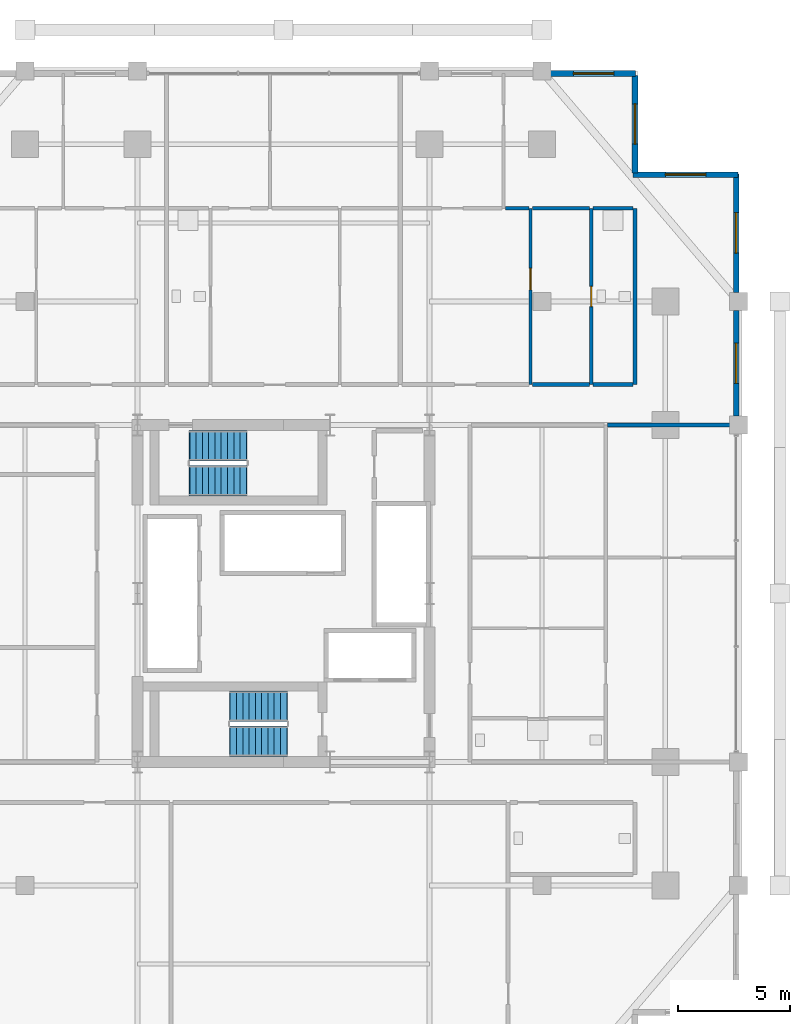
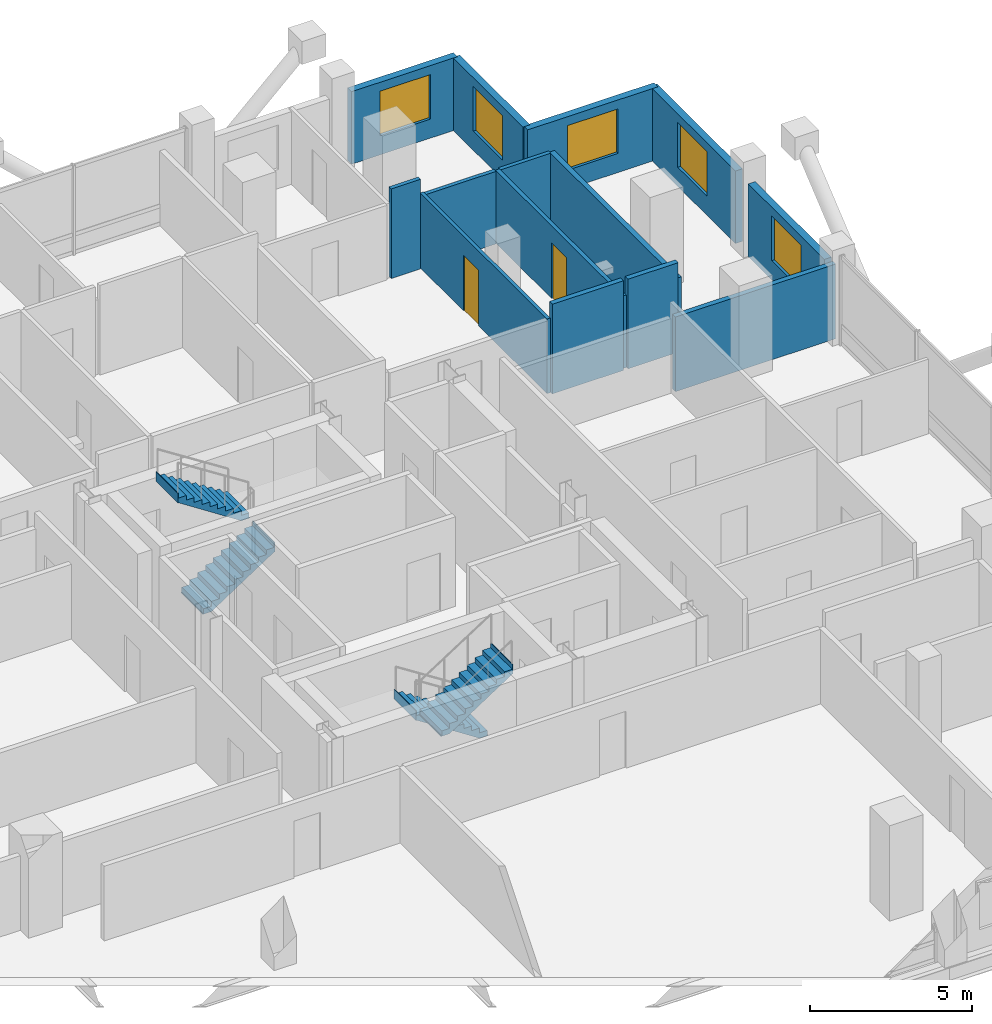
# One storey, part 20 of 22: 14 walls, 5 windows, 4 stair flights, 2 doors, 7 openings, 2 elements without a shape of their own.
"""IFC4 building model written with IfcOpenShell, lengths in metres."""

from ifc_helpers import new_model, si_unit, direction, frame, frame_2d, origin, place, context, subcontext, project, spatial, polyline, rectangle, outline, extrude, material, layer, layer_set, type_object, element, fill, aggregate, save


model = new_model("IFC4")

# Units and contexts
model_context = context("Model", 3, precision=1e-05, world=origin(), true_north=direction((0.0, 1.0)))
body_context = subcontext(model_context, "Body", "Model", "MODEL_VIEW")
ifc_project = project(units=[si_unit("LENGTHUNIT", "METRE"), si_unit("AREAUNIT", "SQUARE_METRE"), si_unit("VOLUMEUNIT", "CUBIC_METRE"), si_unit("PLANEANGLEUNIT", "RADIAN"), si_unit("MASSUNIT", "GRAM", prefix="KILO")], contexts=[model_context])

# Site, building, storey
site_placement = place(None, origin())
site = spatial("IfcSite", under=ifc_project, at=site_placement, CompositionType="ELEMENT")
building_placement = place(site_placement, origin())
building = spatial("IfcBuilding", under=site, at=building_placement, Name="Barlavira Tower and Art Museum", CompositionType="ELEMENT")
storey_placement = place(building_placement, frame((0.0, 0.0, 106.199951171875)))
storey = spatial("IfcBuildingStorey", under=building, at=storey_placement, Name="L26", CompositionType="ELEMENT", Elevation=106.199951171875)

# Wall, opening, door
ifc_material_1 = material(Name="Gypsum acoustic stud partition", Category="gypsum")
ifc_layer_1 = layer(ifc_material_1, 0.1201171875, Name="Gypsum acoustic stud partition")
ifc_layer_set_1 = layer_set([ifc_layer_1], Name="Gypsum acoustic stud partition")
wall_type_1 = type_object("IfcWallType", Name="Apartment Internal Acoustic Partition 120", PredefinedType="PARTITIONING", material=ifc_layer_set_1)
wall_1_placement = place(storey_placement, frame((11.0, 9.300048828125, 0.0), z_axis=(0.0, 0.0, 1.0), x_axis=(0.0, 1.0, 0.0)))
wall_1 = element("IfcWall", 1, at=wall_1_placement, inside=storey, type_object=wall_type_1, Name="L26 Partition Wall 16", PredefinedType="PARTITIONING", context=body_context, shape_type="SweptSolid", body=[
    extrude(rectangle(XDim=7.849853515625, YDim=0.1201171875, at=frame_2d((3.9248046875, 0.0))), origin(), (0.0, 0.0, 1.0), 2.816162109375),
])
opening_1_placement = place(wall_1_placement, frame((4.218505859375, 0.0, 0.0)))
opening_1 = element("IfcOpeningElement", 2, at=opening_1_placement, cuts=wall_1, Name="Opening D-02", PredefinedType="OPENING", context=body_context, shape_type="SweptSolid", body=[
    extrude(rectangle(XDim=0.949951171875, YDim=2.10009765625, at=frame_2d((0.47509765625, 1.050048828125))), frame((0.0, 0.070068359375, 0.0), z_axis=(0.0, -1.0, 0.0), x_axis=(1.0, 0.0, 0.0)), (0.0, 0.0, 1.0), 0.14013671875),
])
ifc_material_2 = material(Name="Engineered coastal hardwood", Category="wood")
door_type_1 = type_object("IfcDoorType", Name="Living and Salon Glazed-Leaf Door 950x2100", OperationType="NOTDEFINED", PredefinedType="DOOR", material=ifc_material_2)
door_1_placement = place(opening_1_placement, origin())
door_1 = element("IfcDoor", 3, at=door_1_placement, inside=storey, type_object=door_type_1, Name="Apartment N3 Kitchen Door", OperationType="SINGLE_SWING_LEFT", OverallHeight=2.10009765625, OverallWidth=0.949951171875, PredefinedType="DOOR", context=body_context, shape_type="SweptSolid", body=[
    extrude(rectangle(XDim=0.949951171875, YDim=2.10009765625, at=frame_2d((0.47509765625, 1.050048828125))), frame((0.0, 0.02490234375, 0.0), z_axis=(0.0, -1.0, 0.0), x_axis=(1.0, 0.0, 0.0)), (0.0, 0.0, 1.0), 0.050048828125),
])
fill(opening_1, door_1)

# Walls
ifc_layer_2 = layer(ifc_material_1, 0.179931640625, Name="Gypsum acoustic stud partition")
ifc_layer_set_2 = layer_set([ifc_layer_2], Name="Gypsum acoustic stud partition")
wall_type_2 = type_object("IfcWallType", Name="Inter-Tenancy Party Partition Wall 180", PredefinedType="PARTITIONING", material=ifc_layer_set_2)
wall_2_placement = place(storey_placement, frame((15.64990234375, 9.300048828125, 0.0), z_axis=(0.0, 0.0, 1.0), x_axis=(0.0, 1.0, 0.0)))
element("IfcWall", 4, at=wall_2_placement, inside=storey, type_object=wall_type_2, Name="L26 Partition Wall 20", PredefinedType="PARTITIONING", context=body_context, shape_type="SweptSolid", body=[
    extrude(rectangle(XDim=7.849853515625, YDim=0.179931640625, at=frame_2d((3.9248046875, 0.0))), origin(), (0.0, 0.0, 1.0), 2.736083984375),
])
wall_3_placement = place(storey_placement, frame((14.429931640625, 7.5, 0.0), z_axis=(0.0, 0.0, 1.0), x_axis=(1.0, 0.0, 0.0)))
element("IfcWall", 5, at=wall_3_placement, inside=storey, type_object=wall_type_2, Name="L26 Partition Wall 37", PredefinedType="PARTITIONING", context=body_context, shape_type="SweptSolid", body=[
    extrude(rectangle(XDim=5.719970703125, YDim=0.179931640625, at=frame_2d((2.85986328125, 0.0))), origin(), (0.0, 0.0, 1.0), 2.816162109375),
])
wall_4_placement = place(storey_placement, frame((11.080078125, 9.300048828125, 0.0), z_axis=(0.0, 0.0, 1.0), x_axis=(1.0, 0.0, 0.0)))
element("IfcWall", 6, at=wall_4_placement, inside=storey, type_object=wall_type_2, Name="L26 Partition Wall 45", PredefinedType="PARTITIONING", context=body_context, shape_type="SweptSolid", body=[
    extrude(rectangle(XDim=2.5400390625, YDim=0.179931640625, at=frame_2d((1.27001953125, 0.0))), origin(), (0.0, 0.0, 1.0), 3.380126953125),
])
wall_5_placement = place(storey_placement, frame((13.780029296875, 9.300048828125, 0.0), z_axis=(0.0, 0.0, 1.0), x_axis=(1.0, 0.0, 0.0)))
element("IfcWall", 7, at=wall_5_placement, inside=storey, type_object=wall_type_2, Name="L26 Partition Wall 46", PredefinedType="PARTITIONING", context=body_context, shape_type="SweptSolid", body=[
    extrude(rectangle(XDim=1.7900390625, YDim=0.179931640625, at=frame_2d((0.89501953125, 0.0))), origin(), (0.0, 0.0, 1.0), 3.380126953125),
])

# Wall, opening, door
ifc_layer_3 = layer(ifc_material_1, 0.139892578125, Name="Gypsum acoustic stud partition")
ifc_layer_set_3 = layer_set([ifc_layer_3], Name="Gypsum acoustic stud partition")
wall_type_3 = type_object("IfcWallType", Name="Moisture-Resistant Bathroom Partition 140", PredefinedType="PARTITIONING", material=ifc_layer_set_3)
wall_6_placement = place(storey_placement, frame((13.699951171875, 9.300048828125, 0.0), z_axis=(0.0, 0.0, 1.0), x_axis=(0.0, 1.0, 0.0)))
wall_6 = element("IfcWall", 8, at=wall_6_placement, inside=storey, type_object=wall_type_3, Name="L26 Partition Wall 17", PredefinedType="PARTITIONING", context=body_context, shape_type="SweptSolid", body=[
    extrude(rectangle(XDim=7.849853515625, YDim=0.139892578125, at=frame_2d((3.9248046875, 0.0))), origin(), (0.0, 0.0, 1.0), 2.736083984375),
])
opening_2_placement = place(wall_6_placement, frame((3.469970703125, 0.0, 0.0)))
opening_2 = element("IfcOpeningElement", 9, at=opening_2_placement, cuts=wall_6, Name="Opening D-WC", PredefinedType="OPENING", context=body_context, shape_type="SweptSolid", body=[
    extrude(rectangle(XDim=0.89990234375, YDim=2.10009765625, at=frame_2d((0.449951171875, 1.050048828125))), frame((0.0, 0.080078125, 0.0), z_axis=(0.0, -1.0, 0.0), x_axis=(1.0, 0.0, 0.0)), (0.0, 0.0, 1.0), 0.159912109375),
])
door_type_2 = type_object("IfcDoorType", Name="Accessible Bathroom Flush Door 900x2100", OperationType="NOTDEFINED", PredefinedType="DOOR", material=ifc_material_2)
door_2_placement = place(opening_2_placement, origin())
door_2 = element("IfcDoor", 10, at=door_2_placement, inside=storey, type_object=door_type_2, Name="Apartment N3 Hall Bathroom Door", OperationType="SINGLE_SWING_RIGHT", OverallHeight=2.10009765625, OverallWidth=0.89990234375, PredefinedType="DOOR", context=body_context, shape_type="SweptSolid", body=[
    extrude(rectangle(XDim=0.89990234375, YDim=2.10009765625, at=frame_2d((0.449951171875, 1.050048828125))), frame((0.0, 0.02490234375, 0.0), z_axis=(0.0, -1.0, 0.0), x_axis=(1.0, 0.0, 0.0)), (0.0, 0.0, 1.0), 0.050048828125),
])
fill(opening_2, door_2)

# Walls
wall_7_placement = place(storey_placement, frame((9.8798828125, 17.14990234375, 0.0), z_axis=(0.0, 0.0, 1.0), x_axis=(1.0, 0.0, 0.0)))
element("IfcWall", 11, at=wall_7_placement, inside=storey, type_object=wall_type_3, Name="L26 Partition Wall 56", PredefinedType="PARTITIONING", context=body_context, shape_type="SweptSolid", body=[
    extrude(rectangle(XDim=1.0400390625, YDim=0.139892578125, at=frame_2d((0.52001953125, 0.0))), origin(), (0.0, 0.0, 1.0), 3.380126953125),
])
wall_8_placement = place(storey_placement, frame((11.080078125, 17.14990234375, 0.0), z_axis=(0.0, 0.0, 1.0), x_axis=(1.0, 0.0, 0.0)))
element("IfcWall", 12, at=wall_8_placement, inside=storey, type_object=wall_type_3, Name="L26 Partition Wall 57", PredefinedType="PARTITIONING", context=body_context, shape_type="SweptSolid", body=[
    extrude(rectangle(XDim=2.5400390625, YDim=0.139892578125, at=frame_2d((1.27001953125, 0.0))), origin(), (0.0, 0.0, 1.0), 2.736083984375),
])
wall_9_placement = place(storey_placement, frame((13.780029296875, 17.14990234375, 0.0), z_axis=(0.0, 0.0, 1.0), x_axis=(1.0, 0.0, 0.0)))
element("IfcWall", 13, at=wall_9_placement, inside=storey, type_object=wall_type_3, Name="L26 Partition Wall 58", PredefinedType="PARTITIONING", context=body_context, shape_type="SweptSolid", body=[
    extrude(rectangle(XDim=1.7900390625, YDim=0.139892578125, at=frame_2d((0.89501953125, 0.0))), origin(), (0.0, 0.0, 1.0), 2.736083984375),
])

# Wall, opening, window
ifc_material_3 = material(Name="Precast concrete C40", Category="concrete")
ifc_layer_4 = layer(ifc_material_3, 0.25, Name="Precast concrete C40")
ifc_layer_set_4 = layer_set([ifc_layer_4], Name="Precast concrete C40")
wall_type_4 = type_object("IfcWallType", Name="Notched Corner Spandrel Wall 250 Precast Concrete C40", PredefinedType="SOLIDWALL", material=ifc_layer_set_4)
wall_10_placement = place(storey_placement, frame((15.675048828125, 23.14990234375, 0.0), z_axis=(0.0, 0.0, 1.0), x_axis=(-1.0, 0.0, 0.0)))
wall_10 = element("IfcWall", 14, at=wall_10_placement, inside=storey, type_object=wall_type_4, Name="L26 Coastal Facade Pier Wall CW2-L26-N-1", PredefinedType="SOLIDWALL", context=body_context, shape_type="SweptSolid", body=[
    extrude(rectangle(XDim=3.780029296875, YDim=0.25, at=frame_2d((1.89013671875, 0.0))), origin(), (0.0, 0.0, 1.0), 2.736083984375),
])
opening_3_placement = place(wall_10_placement, frame((0.968017578125, 0.0, 0.719970703125)))
opening_3 = element("IfcOpeningElement", 15, at=opening_3_placement, cuts=wall_10, Name="Opening WN-01", PredefinedType="OPENING", context=body_context, shape_type="SweptSolid", body=[
    extrude(rectangle(XDim=1.800048828125, YDim=1.679931640625, at=frame_2d((0.89990234375, 0.83984375))), frame((0.0, 0.135009765625, 0.0), z_axis=(0.0, -1.0, 0.0), x_axis=(1.0, 0.0, 0.0)), (0.0, 0.0, 1.0), 0.27001953125),
])
ifc_material_4 = material(Name="Low-iron coastal laminated glass", Category="glass")
window_type = type_object("IfcWindowType", Name="Recessed Notch Corner Punch Window 1800x1680", PartitioningType="SINGLE_PANEL", PredefinedType="WINDOW", material=ifc_material_4)
window_1_placement = place(opening_3_placement, origin())
window_1 = element("IfcWindow", 16, at=window_1_placement, inside=storey, type_object=window_type, Name="L26 Punched Facade Window EWP-CW2-L26-N-1-1", OverallHeight=1.679931640625, OverallWidth=1.800048828125, PartitioningType="SINGLE_PANEL", PredefinedType="WINDOW", context=body_context, shape_type="SweptSolid", body=[
    extrude(rectangle(XDim=1.800048828125, YDim=1.679931640625, at=frame_2d((0.89990234375, 0.83984375))), frame((0.0, 0.030029296875, 0.0), z_axis=(0.0, -1.0, 0.0), x_axis=(1.0, 0.0, 0.0)), (0.0, 0.0, 1.0), 0.06005859375),
])
fill(opening_3, window_1)

wall_11_placement = place(storey_placement, frame((20.14990234375, 7.89501953125, 0.0), z_axis=(0.0, 0.0, 1.0), x_axis=(0.0, 1.0, 0.0)))
wall_11 = element("IfcWall", 17, at=wall_11_placement, inside=storey, type_object=wall_type_4, Name="L26 Coastal Facade Pier Wall CW2-L26-E-4", PredefinedType="SOLIDWALL", context=body_context, shape_type="SweptSolid", body=[
    extrude(rectangle(XDim=4.7099609375, YDim=0.25, at=frame_2d((2.35498046875, 0.0))), origin(), (0.0, 0.0, 1.0), 2.736083984375),
])
opening_4_placement = place(wall_11_placement, frame((1.455078125, 0.0, 0.719970703125)))
opening_4 = element("IfcOpeningElement", 18, at=opening_4_placement, cuts=wall_11, Name="Opening WN-01", PredefinedType="OPENING", context=body_context, shape_type="SweptSolid", body=[
    extrude(rectangle(XDim=1.800048828125, YDim=1.679931640625, at=frame_2d((0.89990234375, 0.83984375))), frame((0.0, 0.135009765625, 0.0), z_axis=(0.0, -1.0, 0.0), x_axis=(1.0, 0.0, 0.0)), (0.0, 0.0, 1.0), 0.27001953125),
])
window_2_placement = place(opening_4_placement, origin())
window_2 = element("IfcWindow", 19, at=window_2_placement, inside=storey, type_object=window_type, Name="L26 Punched Facade Window EWP-CW2-L26-E-4-1", OverallHeight=1.679931640625, OverallWidth=1.800048828125, PartitioningType="SINGLE_PANEL", PredefinedType="WINDOW", context=body_context, shape_type="SweptSolid", body=[
    extrude(rectangle(XDim=1.800048828125, YDim=1.679931640625, at=frame_2d((0.89990234375, 0.83984375))), frame((0.0, 0.030029296875, 0.0), z_axis=(0.0, -1.0, 0.0), x_axis=(1.0, 0.0, 0.0)), (0.0, 0.0, 1.0), 0.06005859375),
])
fill(opening_4, window_2)

wall_12_placement = place(storey_placement, frame((20.14990234375, 13.39501953125, 0.0), z_axis=(0.0, 0.0, 1.0), x_axis=(0.0, 1.0, 0.0)))
wall_12 = element("IfcWall", 20, at=wall_12_placement, inside=storey, type_object=wall_type_4, Name="L26 Coastal Facade Pier Wall CW2-L26-E-5", PredefinedType="SOLIDWALL", context=body_context, shape_type="SweptSolid", body=[
    extrude(rectangle(XDim=5.280029296875, YDim=0.25, at=frame_2d((2.64013671875, 0.0))), origin(), (0.0, 0.0, 1.0), 2.736083984375),
])
opening_5_placement = place(wall_12_placement, frame((1.762939453125, 0.0, 0.719970703125)))
opening_5 = element("IfcOpeningElement", 21, at=opening_5_placement, cuts=wall_12, Name="Opening WN-01", PredefinedType="OPENING", context=body_context, shape_type="SweptSolid", body=[
    extrude(rectangle(XDim=1.800048828125, YDim=1.679931640625, at=frame_2d((0.89990234375, 0.83984375))), frame((0.0, 0.135009765625, 0.0), z_axis=(0.0, -1.0, 0.0), x_axis=(1.0, 0.0, 0.0)), (0.0, 0.0, 1.0), 0.27001953125),
])
window_3_placement = place(opening_5_placement, origin())
window_3 = element("IfcWindow", 22, at=window_3_placement, inside=storey, type_object=window_type, Name="L26 Punched Facade Window EWP-CW2-L26-E-5-1", OverallHeight=1.679931640625, OverallWidth=1.800048828125, PartitioningType="SINGLE_PANEL", PredefinedType="WINDOW", context=body_context, shape_type="SweptSolid", body=[
    extrude(rectangle(XDim=1.800048828125, YDim=1.679931640625, at=frame_2d((0.89990234375, 0.83984375))), frame((0.0, 0.030029296875, 0.0), z_axis=(0.0, -1.0, 0.0), x_axis=(1.0, 0.0, 0.0)), (0.0, 0.0, 1.0), 0.06005859375),
])
fill(opening_5, window_3)

wall_13_placement = place(storey_placement, frame((20.22998046875, 18.64990234375, 0.0), z_axis=(0.0, 0.0, 1.0), x_axis=(-1.0, 0.0, 0.0)))
wall_13 = element("IfcWall", 23, at=wall_13_placement, inside=storey, type_object=wall_type_4, Name="L26 Notch Corner Wall NE1", PredefinedType="SOLIDWALL", context=body_context, shape_type="SweptSolid", body=[
    extrude(rectangle(XDim=4.659912109375, YDim=0.25, at=frame_2d((2.330078125, 0.0))), origin(), (0.0, 0.0, 1.0), 2.736083984375),
])
opening_6_placement = place(wall_13_placement, frame((1.429931640625, 0.0, 0.719970703125)))
opening_6 = element("IfcOpeningElement", 24, at=opening_6_placement, cuts=wall_13, Name="Opening WN-01", PredefinedType="OPENING", context=body_context, shape_type="SweptSolid", body=[
    extrude(rectangle(XDim=1.800048828125, YDim=1.679931640625, at=frame_2d((0.89990234375, 0.83984375))), frame((0.0, 0.135009765625, 0.0), z_axis=(0.0, -1.0, 0.0), x_axis=(1.0, 0.0, 0.0)), (0.0, 0.0, 1.0), 0.27001953125),
])
window_4_placement = place(opening_6_placement, origin())
window_4 = element("IfcWindow", 25, at=window_4_placement, inside=storey, type_object=window_type, Name="L26 Punched Facade Window EW-NTC-L26-NE1-1", OverallHeight=1.679931640625, OverallWidth=1.800048828125, PartitioningType="SINGLE_PANEL", PredefinedType="WINDOW", context=body_context, shape_type="SweptSolid", body=[
    extrude(rectangle(XDim=1.800048828125, YDim=1.679931640625, at=frame_2d((0.89990234375, 0.83984375))), frame((0.0, 0.030029296875, 0.0), z_axis=(0.0, -1.0, 0.0), x_axis=(1.0, 0.0, 0.0)), (0.0, 0.0, 1.0), 0.06005859375),
])
fill(opening_6, window_4)

wall_14_placement = place(storey_placement, frame((15.64990234375, 18.72998046875, 0.0), z_axis=(0.0, 0.0, 1.0), x_axis=(0.0, 1.0, 0.0)))
wall_14 = element("IfcWall", 26, at=wall_14_placement, inside=storey, type_object=wall_type_4, Name="L26 Notch Corner Wall NE2", PredefinedType="SOLIDWALL", context=body_context, shape_type="SweptSolid", body=[
    extrude(rectangle(XDim=4.340087890625, YDim=0.25, at=frame_2d((2.169921875, 0.0))), origin(), (0.0, 0.0, 1.0), 2.736083984375),
])
opening_7_placement = place(wall_14_placement, frame((1.27001953125, 0.0, 0.719970703125)))
opening_7 = element("IfcOpeningElement", 27, at=opening_7_placement, cuts=wall_14, Name="Opening WN-01", PredefinedType="OPENING", context=body_context, shape_type="SweptSolid", body=[
    extrude(rectangle(XDim=1.800048828125, YDim=1.679931640625, at=frame_2d((0.89990234375, 0.83984375))), frame((0.0, 0.135009765625, 0.0), z_axis=(0.0, -1.0, 0.0), x_axis=(1.0, 0.0, 0.0)), (0.0, 0.0, 1.0), 0.27001953125),
])
window_5_placement = place(opening_7_placement, origin())
window_5 = element("IfcWindow", 28, at=window_5_placement, inside=storey, type_object=window_type, Name="L26 Punched Facade Window EW-NTC-L26-NE2-1", OverallHeight=1.679931640625, OverallWidth=1.800048828125, PartitioningType="SINGLE_PANEL", PredefinedType="WINDOW", context=body_context, shape_type="SweptSolid", body=[
    extrude(rectangle(XDim=1.800048828125, YDim=1.679931640625, at=frame_2d((0.89990234375, 0.83984375))), frame((0.0, 0.030029296875, 0.0), z_axis=(0.0, -1.0, 0.0), x_axis=(1.0, 0.0, 0.0)), (0.0, 0.0, 1.0), 0.06005859375),
])
fill(opening_7, window_5)

# Stair, stair flights
ifc_material_5 = material(Name="Concrete C45", Category="concrete")
stair_type_1 = type_object("IfcStairType", Name="Tower North Dog-Leg Exit Stair Assembly Concrete C45", PredefinedType="TWO_QUARTER_TURN_STAIR", material=ifc_material_5)
stair_1_placement = place(storey_placement, origin())
stair_1 = element("IfcStair", 29, at=stair_1_placement, inside=storey, type_object=stair_type_1, Name="L26 Tower North Exit Stair ST-T2", PredefinedType="TWO_QUARTER_TURN_STAIR")
ifc_material_6 = material(Name="Precast concrete C45", Category="concrete")
stair_flight_type_1 = type_object("IfcStairFlightType", Name="Tower North Dog-Leg Exit Stair Precast Flight 1350 Concrete C45", PredefinedType="STRAIGHT", material=ifc_material_6)
stair_flight_1_placement = place(storey_placement, frame((-4.169921875, 5.02490234375, 0.0), z_axis=(0.0, 0.0, 1.0), x_axis=(1.0, 0.0, 0.0)))
stair_flight_1 = element("IfcStairFlight", 30, at=stair_flight_1_placement, type_object=stair_flight_type_1, Name="ST-T2 flight 1", NumberOfRisers=10, NumberOfTreads=9, PredefinedType="STRAIGHT", RiserHeight=0.18, TreadLength=0.28, context=body_context, shape_type="SweptSolid", body=[
    extrude(outline(polyline([(-0.02490234375, 0.0), (0.0, 0.0), (0.0, 0.179931640625), (0.280029296875, 0.179931640625), (0.280029296875, 0.360107421875), (0.56005859375, 0.360107421875), (0.56005859375, 0.5400390625), (0.840087890625, 0.5400390625), (0.840087890625, 0.719970703125), (1.1201171875, 0.719970703125), (1.1201171875, 0.89990234375), (1.39990234375, 0.89990234375), (1.39990234375, 1.080078125), (1.679931640625, 1.080078125), (1.679931640625, 1.260009765625), (1.9599609375, 1.260009765625), (1.9599609375, 1.43994140625), (2.239990234375, 1.43994140625), (2.239990234375, 1.6201171875), (2.52001953125, 1.6201171875), (2.52001953125, 1.800048828125), (2.544921875, 1.800048828125), (2.544921875, 1.44189453125), (2.52001953125, 1.44189453125), (0.277099609375, -0.02490234375), (-0.02490234375, -0.02490234375), (-0.02490234375, 0.0)])), frame((0.0, 0.675048828125, 0.0), z_axis=(0.0, -1.0, 0.0), x_axis=(1.0, 0.0, 0.0)), (0.0, 0.0, 1.0), 1.35009765625),
])
stair_flight_2_placement = place(storey_placement, frame((-1.64990234375, 6.574951171875, 1.800048828125), z_axis=(0.0, 0.0, 1.0), x_axis=(-1.0, 0.0, 0.0)))
stair_flight_2 = element("IfcStairFlight", 31, at=stair_flight_2_placement, type_object=stair_flight_type_1, Name="ST-T2 flight 2", NumberOfRisers=10, NumberOfTreads=9, PredefinedType="STRAIGHT", RiserHeight=0.18, TreadLength=0.28, context=body_context, shape_type="SweptSolid", body=[
    extrude(outline(polyline([(-0.02490234375, 0.0), (0.0, 0.0), (0.0, 0.179931640625), (0.280029296875, 0.179931640625), (0.280029296875, 0.360107421875), (0.56005859375, 0.360107421875), (0.56005859375, 0.5400390625), (0.840087890625, 0.5400390625), (0.840087890625, 0.719970703125), (1.1201171875, 0.719970703125), (1.1201171875, 0.89990234375), (1.39990234375, 0.89990234375), (1.39990234375, 1.080078125), (1.679931640625, 1.080078125), (1.679931640625, 1.260009765625), (1.9599609375, 1.260009765625), (1.9599609375, 1.43994140625), (2.239990234375, 1.43994140625), (2.239990234375, 1.6201171875), (2.52001953125, 1.6201171875), (2.52001953125, 1.800048828125), (2.544921875, 1.800048828125), (2.544921875, 1.44189453125), (2.52001953125, 1.44189453125), (0.277099609375, -0.02490234375), (-0.02490234375, -0.02490234375), (-0.02490234375, 0.0)])), frame((0.0, 0.675048828125, 0.0), z_axis=(0.0, -1.0, 0.0), x_axis=(1.0, 0.0, 0.0)), (0.0, 0.0, 1.0), 1.35009765625),
])
aggregate(stair_1, [stair_flight_1, stair_flight_2])

stair_type_2 = type_object("IfcStairType", Name="Tower South Dog-Leg Exit Stair Assembly Concrete C45", PredefinedType="TWO_QUARTER_TURN_STAIR", material=ifc_material_5)
stair_2_placement = place(storey_placement, origin())
stair_2 = element("IfcStair", 32, at=stair_2_placement, inside=storey, type_object=stair_type_2, Name="L26 Tower South Exit Stair ST-T1", PredefinedType="TWO_QUARTER_TURN_STAIR")
stair_flight_type_2 = type_object("IfcStairFlightType", Name="Tower South Dog-Leg Exit Stair Precast Flight 1350 Concrete C45", PredefinedType="STRAIGHT", material=ifc_material_6)
stair_flight_3_placement = place(storey_placement, frame((0.14990234375, -5.02490234375, 0.0), z_axis=(0.0, 0.0, 1.0), x_axis=(-1.0, 0.0, 0.0)))
stair_flight_3 = element("IfcStairFlight", 33, at=stair_flight_3_placement, type_object=stair_flight_type_2, Name="ST-T1 flight 1", NumberOfRisers=10, NumberOfTreads=9, PredefinedType="STRAIGHT", RiserHeight=0.18, TreadLength=0.28, context=body_context, shape_type="SweptSolid", body=[
    extrude(outline(polyline([(-0.02490234375, 0.0), (0.0, 0.0), (0.0, 0.179931640625), (0.280029296875, 0.179931640625), (0.280029296875, 0.360107421875), (0.56005859375, 0.360107421875), (0.56005859375, 0.5400390625), (0.840087890625, 0.5400390625), (0.840087890625, 0.719970703125), (1.1201171875, 0.719970703125), (1.1201171875, 0.89990234375), (1.39990234375, 0.89990234375), (1.39990234375, 1.080078125), (1.679931640625, 1.080078125), (1.679931640625, 1.260009765625), (1.9599609375, 1.260009765625), (1.9599609375, 1.43994140625), (2.239990234375, 1.43994140625), (2.239990234375, 1.6201171875), (2.52001953125, 1.6201171875), (2.52001953125, 1.800048828125), (2.544921875, 1.800048828125), (2.544921875, 1.44189453125), (2.52001953125, 1.44189453125), (0.277099609375, -0.02490234375), (-0.02490234375, -0.02490234375), (-0.02490234375, 0.0)])), frame((0.0, 0.675048828125, 0.0), z_axis=(0.0, -1.0, 0.0), x_axis=(1.0, 0.0, 0.0)), (0.0, 0.0, 1.0), 1.35009765625),
])
stair_flight_4_placement = place(storey_placement, frame((-2.3701171875, -6.574951171875, 1.800048828125), z_axis=(0.0, 0.0, 1.0), x_axis=(1.0, 0.0, 0.0)))
stair_flight_4 = element("IfcStairFlight", 34, at=stair_flight_4_placement, type_object=stair_flight_type_2, Name="ST-T1 flight 2", NumberOfRisers=10, NumberOfTreads=9, PredefinedType="STRAIGHT", RiserHeight=0.18, TreadLength=0.28, context=body_context, shape_type="SweptSolid", body=[
    extrude(outline(polyline([(-0.02490234375, 0.0), (0.0, 0.0), (0.0, 0.179931640625), (0.280029296875, 0.179931640625), (0.280029296875, 0.360107421875), (0.56005859375, 0.360107421875), (0.56005859375, 0.5400390625), (0.840087890625, 0.5400390625), (0.840087890625, 0.719970703125), (1.1201171875, 0.719970703125), (1.1201171875, 0.89990234375), (1.39990234375, 0.89990234375), (1.39990234375, 1.080078125), (1.679931640625, 1.080078125), (1.679931640625, 1.260009765625), (1.9599609375, 1.260009765625), (1.9599609375, 1.43994140625), (2.239990234375, 1.43994140625), (2.239990234375, 1.6201171875), (2.52001953125, 1.6201171875), (2.52001953125, 1.800048828125), (2.544921875, 1.800048828125), (2.544921875, 1.44189453125), (2.52001953125, 1.44189453125), (0.277099609375, -0.02490234375), (-0.02490234375, -0.02490234375), (-0.02490234375, 0.0)])), frame((0.0, 0.675048828125, 0.0), z_axis=(0.0, -1.0, 0.0), x_axis=(1.0, 0.0, 0.0)), (0.0, 0.0, 1.0), 1.35009765625),
])
aggregate(stair_2, [stair_flight_3, stair_flight_4])

save(model, "model.ifc")
